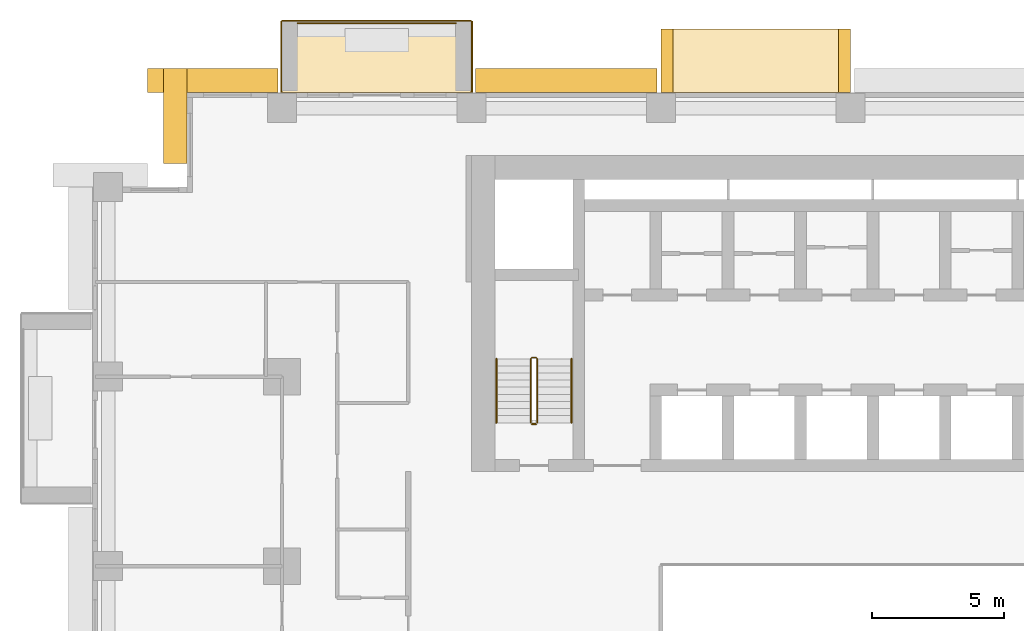
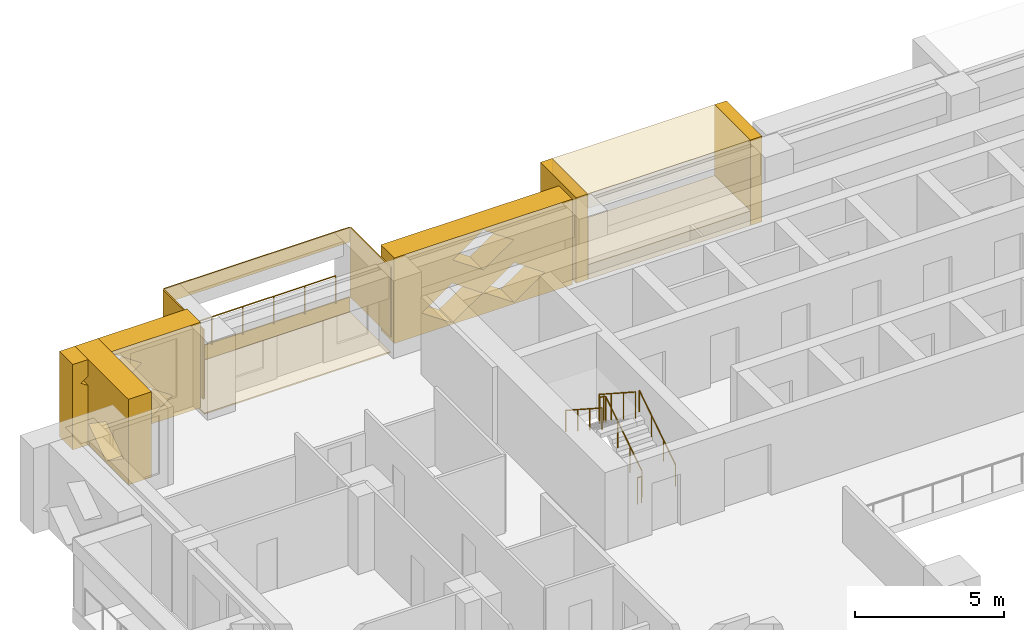
# One storey, part 15 of 17: 12 coverings, 5 railings.
"""IFC4 building model written with IfcOpenShell, lengths in metres."""

from ifc_helpers import new_model, si_unit, direction, frame, origin, origin_2d, place, context, subcontext, project, spatial, polyline, circle, outline, extrude, material, layer, layer_set, type_object, element, save


model = new_model("IFC4")

# Units and contexts
model_context = context("Model", 3, precision=1e-05, world=origin(), true_north=direction((0.0, 1.0)))
body_context = subcontext(model_context, "Body", "Model", "MODEL_VIEW")
ifc_project = project(units=[si_unit("LENGTHUNIT", "METRE"), si_unit("AREAUNIT", "SQUARE_METRE"), si_unit("VOLUMEUNIT", "CUBIC_METRE"), si_unit("PLANEANGLEUNIT", "RADIAN"), si_unit("MASSUNIT", "GRAM", prefix="KILO")], contexts=[model_context])

# Site, building, storey
site_placement = place(None, origin())
site = spatial("IfcSite", under=ifc_project, at=site_placement, CompositionType="ELEMENT")
building_placement = place(site_placement, origin())
building = spatial("IfcBuilding", under=site, at=building_placement, Name="Saffron Iwan Residences", CompositionType="ELEMENT")
storey_placement = place(building_placement, frame((0.0, 0.0, 55.0)))
storey = spatial("IfcBuildingStorey", under=building, at=storey_placement, Name="L13", CompositionType="ELEMENT", Elevation=55.0)

# Railing
ifc_material_1 = material(Name="Stainless steel 316", Category="steel")
railing_type_1 = type_object("IfcRailingType", Name="BALCONY GUARD 1150", PredefinedType="GUARDRAIL", material=ifc_material_1)
railing_1_placement = place(storey_placement, frame((28.199951171875, 83.02490234375, 0.0)))
element("IfcRailing", 1, at=railing_1_placement, inside=storey, type_object=railing_type_1, Name="Balcony guard L13 F5-3", PredefinedType="GUARDRAIL", context=body_context, shape_type="SweptSolid", body=[
    extrude(circle(Radius=0.02392578125, at=origin_2d()), frame((0.0, 0.0, 1.1259765625), z_axis=(-1.0, 0.0, 0.0), x_axis=(0.0, -1.0, 0.0)), (0.0, 0.0, 1.0), 6.0),
    extrude(circle(Radius=0.02099609375, at=origin_2d()), origin(), (0.0, 0.0, 1.0), 1.101806640625),
    extrude(circle(Radius=0.02099609375, at=origin_2d()), frame((-1.199951171875, 0.0, 0.0)), (0.0, 0.0, 1.0), 1.101806640625),
    extrude(circle(Radius=0.02099609375, at=origin_2d()), frame((-2.39990234375, 0.0, 0.0)), (0.0, 0.0, 1.0), 1.101806640625),
    extrude(circle(Radius=0.02099609375, at=origin_2d()), frame((-3.60009765625, 0.0, 0.0)), (0.0, 0.0, 1.0), 1.101806640625),
    extrude(circle(Radius=0.02099609375, at=origin_2d()), frame((-4.800048828125, 0.0, 0.0)), (0.0, 0.0, 1.0), 1.101806640625),
    extrude(circle(Radius=0.02099609375, at=origin_2d()), frame((-6.0, 0.0, 0.0)), (0.0, 0.0, 1.0), 1.101806640625),
])

# Coverings
ifc_material_2 = material(Name="Precast concrete C40/50 white painted", Category="concrete")
ifc_layer = layer(ifc_material_2, 0.050048828125)
ifc_layer_set = layer_set([ifc_layer], Name="Precast concrete C40/50 white painted")
covering_type_1 = type_object("IfcCoveringType", Name="FRAME SKIN PRECAST WHITE 50", PredefinedType="CLADDING", material=ifc_layer_set)
for number, where, name in (
    (2, (0.0, 0.0, -0.60009765625), "Frame skin slab edge L13 F5-3"),
    (3, (0.0, 0.0, 2.25), "Frame skin fascia L13 F5-3"),
):
    element("IfcCovering", number, at=place(storey_placement, frame(where)), inside=storey, type_object=covering_type_1, Name=name, PredefinedType="CLADDING", context=body_context, shape_type="SweptSolid", body=[
        extrude(outline(polyline([(28.800048828125, 83.14990234375), (21.60009765625, 83.14990234375), (21.60009765625, 83.10009765625), (28.800048828125, 83.10009765625), (28.800048828125, 83.14990234375)])), origin(), (0.0, 0.0, 1.0), 0.60009765625),
    ])
covering_1_placement = place(storey_placement, frame((0.0, 0.0, -0.64990234375)))
element("IfcCovering", 4, at=covering_1_placement, inside=storey, type_object=covering_type_1, Name="Frame skin soffit L13 F5-3", PredefinedType="CLADDING", context=body_context, shape_type="SweptSolid", body=[
    extrude(outline(polyline([(28.800048828125, 83.10009765625), (21.60009765625, 83.10009765625), (21.60009765625, 80.39990234375), (28.800048828125, 80.39990234375), (28.800048828125, 83.10009765625)])), origin(), (0.0, 0.0, 1.0), 0.0498046875),
])
covering_2_placement = place(storey_placement, origin())
element("IfcCovering", 5, at=covering_2_placement, inside=storey, type_object=covering_type_1, Name="Frame skin fin L13 F5-3a", PredefinedType="CLADDING", context=body_context, shape_type="SweptSolid", body=[
    extrude(outline(polyline([(28.85009765625, 83.10009765625), (28.800048828125, 83.10009765625), (28.800048828125, 80.39990234375), (28.85009765625, 80.39990234375), (28.85009765625, 83.10009765625)])), origin(), (0.0, 0.0, 1.0), 2.85009765625),
])
covering_3_placement = place(storey_placement, origin())
element("IfcCovering", 6, at=covering_3_placement, inside=storey, type_object=covering_type_1, Name="Frame skin fin L13 F5-3b", PredefinedType="CLADDING", context=body_context, shape_type="SweptSolid", body=[
    extrude(outline(polyline([(21.60009765625, 83.10009765625), (21.550048828125, 83.10009765625), (21.550048828125, 80.39990234375), (21.60009765625, 80.39990234375), (21.60009765625, 83.10009765625)])), origin(), (0.0, 0.0, 1.0), 2.85009765625),
])
ifc_material_3 = material(Name="Precast concrete C40/50", Category="concrete")
covering_type_2 = type_object("IfcCoveringType", Name="OUTER SKIN LATTICE SCREEN", PredefinedType="CLADDING", material=ifc_material_3)
covering_4_placement = place(storey_placement, frame((35.85009765625, 80.39990234375, -0.320068359375), z_axis=(0.0, 1.0, 0.0), x_axis=(-1.0, 0.0, 0.0)))
element("IfcCovering", 7, at=covering_4_placement, inside=storey, type_object=covering_type_2, Name="OUTER SKIN lattice screen L13 F5.3", PredefinedType="CLADDING", context=body_context, shape_type="SweptSolid", body=[
    extrude(outline(polyline([(0.0, 0.0), (6.89990234375, 0.0), (6.89990234375, 3.5), (0.0, 3.5), (0.0, 0.0)]), holes=[polyline([(1.070068359375, 0.875), (2.25, 0.06005859375), (3.429931640625, 0.875), (2.25, 1.68994140625), (1.070068359375, 0.875)]), polyline([(3.469970703125, 0.875), (4.64990234375, 0.06005859375), (5.830078125, 0.875), (4.64990234375, 1.68994140625), (3.469970703125, 0.875)]), polyline([(2.27001953125, 2.625), (3.449951171875, 1.81005859375), (4.6298828125, 2.625), (3.449951171875, 3.43994140625), (2.27001953125, 2.625)])]), origin(), (0.0, 0.0, 1.0), 0.900146484375),
])
covering_5_placement = place(storey_placement, frame((21.449951171875, 80.39990234375, -0.320068359375), z_axis=(0.0, 1.0, 0.0), x_axis=(-1.0, 0.0, 0.0)))
element("IfcCovering", 8, at=covering_5_placement, inside=storey, type_object=covering_type_2, Name="OUTER SKIN lattice screen L13 F5.4", PredefinedType="CLADDING", context=body_context, shape_type="SweptSolid", body=[
    extrude(outline(polyline([(0.0, 0.0), (4.949951171875, 0.0), (4.949951171875, 3.5), (0.0, 3.5), (0.0, 0.0)]), holes=[polyline([(1.070068359375, 0.875), (2.25, 0.06005859375), (3.429931640625, 0.875), (2.25, 1.68994140625), (1.070068359375, 0.875)]), polyline([(2.27001953125, 2.625), (3.449951171875, 1.81005859375), (4.6298828125, 2.625), (3.449951171875, 3.43994140625), (2.27001953125, 2.625)])]), origin(), (0.0, 0.0, 1.0), 0.900146484375),
])
covering_6_placement = place(storey_placement, frame((18.0, 81.300048828125, -0.320068359375), z_axis=(-1.0, 0.0, 0.0), x_axis=(0.0, -1.0, 0.0)))
element("IfcCovering", 9, at=covering_6_placement, inside=storey, type_object=covering_type_2, Name="OUTER SKIN lattice screen L13 F6.0", PredefinedType="CLADDING", context=body_context, shape_type="SweptSolid", body=[
    extrude(outline(polyline([(0.0, 0.0), (3.60009765625, 0.0), (3.60009765625, 3.5), (0.0, 3.5), (0.0, 0.0)]), holes=[polyline([(0.919921875, 0.875), (2.10009765625, 0.06005859375), (3.280029296875, 0.875), (2.10009765625, 1.68994140625), (0.919921875, 0.875)])]), origin(), (0.0, 0.0, 1.0), 0.89990234375),
])

# Railings
ifc_material_4 = material(Name="Steel S355", Category="steel")
railing_type_2 = type_object("IfcRailingType", Name="Stair guard 1100", PredefinedType="GUARDRAIL", material=ifc_material_4)
railing_2_placement = place(storey_placement, frame((31.300048828125, 67.85009765625, 0.175048828125)))
element("IfcRailing", 10, at=railing_2_placement, inside=storey, type_object=railing_type_2, Name="L13 ST-W stair guard 1", PredefinedType="GUARDRAIL", context=body_context, shape_type="SweptSolid", body=[
    extrude(circle(Radius=0.02392578125, at=origin_2d()), frame((0.0, 0.0, 1.076171875), z_axis=(0.0, 0.839153699163, 0.543894354798), x_axis=(-1.0, 0.0, 0.0)), (0.0, 0.0, 1.0), 2.895751953125),
    extrude(circle(Radius=0.02392578125, at=origin_2d()), frame((0.0, 2.429931640625, 2.65087890625), z_axis=(-0.707106781187, 0.707106781187, 0.0), x_axis=(-0.707106781187, -0.707106781187, 0.0)), (0.0, 0.0, 1.0), 0.07080078125),
    extrude(circle(Radius=0.02392578125, at=origin_2d()), frame((-0.050048828125, 2.47998046875, 2.65087890625), z_axis=(-1.0, 0.0, 0.0), x_axis=(0.0, -1.0, 0.0)), (0.0, 0.0, 1.0), 0.14990234375),
    extrude(circle(Radius=0.02392578125, at=origin_2d()), frame((-0.199951171875, 2.47998046875, 2.65087890625), z_axis=(-0.265065253269, -0.265065253269, 0.927081885822), x_axis=(0.707106781187, -0.707106781187, 0.0)), (0.0, 0.0, 1.0), 0.188720703125),
    extrude(circle(Radius=0.02392578125, at=origin_2d()), frame((-0.25, 2.429931640625, 2.826171875), z_axis=(0.0, -0.839153699163, 0.543894354798), x_axis=(1.0, 0.0, 0.0)), (0.0, 0.0, 1.0), 2.895751953125),
    extrude(circle(Radius=0.02099609375, at=origin_2d()), origin(), (0.0, 0.0, 1.0), 1.052001953125),
    extrude(circle(Radius=0.02099609375, at=origin_2d()), frame((0.0, 0.81005859375, 0.52490234375)), (0.0, 0.0, 1.0), 1.052001953125),
    extrude(circle(Radius=0.02099609375, at=origin_2d()), frame((0.0, 1.619873046875, 1.050048828125)), (0.0, 0.0, 1.0), 1.052001953125),
    extrude(circle(Radius=0.02099609375, at=origin_2d()), frame((0.0, 2.429931640625, 1.574951171875)), (0.0, 0.0, 1.0), 1.052001953125),
    extrude(circle(Radius=0.02099609375, at=origin_2d()), frame((-0.050048828125, 2.47998046875, 1.574951171875)), (0.0, 0.0, 1.0), 1.052001953125),
    extrude(circle(Radius=0.02099609375, at=origin_2d()), frame((-0.199951171875, 2.47998046875, 1.574951171875)), (0.0, 0.0, 1.0), 1.052001953125),
    extrude(circle(Radius=0.02099609375, at=origin_2d()), frame((-0.25, 2.429931640625, 1.75)), (0.0, 0.0, 1.0), 1.052001953125),
    extrude(circle(Radius=0.02099609375, at=origin_2d()), frame((-0.25, 1.619873046875, 2.27490234375)), (0.0, 0.0, 1.0), 1.052001953125),
    extrude(circle(Radius=0.02099609375, at=origin_2d()), frame((-0.25, 0.81005859375, 2.800048828125)), (0.0, 0.0, 1.0), 1.052001953125),
    extrude(circle(Radius=0.02099609375, at=origin_2d()), frame((-0.25, 0.0, 3.324951171875)), (0.0, 0.0, 1.0), 1.052001953125),
])
railing_3_placement = place(storey_placement, frame((31.25, 67.800048828125, 0.0)))
element("IfcRailing", 11, at=railing_3_placement, inside=storey, type_object=railing_type_2, Name="L13 ST-W stair guard 2", PredefinedType="GUARDRAIL", context=body_context, shape_type="SweptSolid", body=[
    extrude(circle(Radius=0.02392578125, at=origin_2d()), frame((0.0, 0.0, 1.076171875), z_axis=(-1.0, 0.0, 0.0), x_axis=(0.0, -1.0, 0.0)), (0.0, 0.0, 1.0), 0.14990234375),
    extrude(circle(Radius=0.02099609375, at=origin_2d()), origin(), (0.0, 0.0, 1.0), 1.052001953125),
    extrude(circle(Radius=0.02099609375, at=origin_2d()), frame((-0.14990234375, 0.0, 0.0)), (0.0, 0.0, 1.0), 1.052001953125),
])
railing_type_3 = type_object("IfcRailingType", Name="Stair handrail 900", PredefinedType="HANDRAIL", material=ifc_material_1)
railing_4_placement = place(storey_placement, frame((32.60009765625, 67.85009765625, 0.175048828125)))
element("IfcRailing", 12, at=railing_4_placement, inside=storey, type_object=railing_type_3, Name="L13 ST-W stair handrail 1", PredefinedType="HANDRAIL", context=body_context, shape_type="SweptSolid", body=[
    extrude(circle(Radius=0.02392578125, at=origin_2d()), frame((0.0, 0.0, 0.8759765625), z_axis=(0.0, 0.839153699163, 0.543894354798), x_axis=(-1.0, 0.0, 0.0)), (0.0, 0.0, 1.0), 2.895751953125),
    extrude(circle(Radius=0.02099609375, at=origin_2d()), origin(), (0.0, 0.0, 1.0), 0.851806640625),
    extrude(circle(Radius=0.02099609375, at=origin_2d()), frame((0.0, 0.81005859375, 0.52490234375)), (0.0, 0.0, 1.0), 0.851806640625),
    extrude(circle(Radius=0.02099609375, at=origin_2d()), frame((0.0, 1.619873046875, 1.050048828125)), (0.0, 0.0, 1.0), 0.851806640625),
    extrude(circle(Radius=0.02099609375, at=origin_2d()), frame((0.0, 2.429931640625, 1.574951171875)), (0.0, 0.0, 1.0), 0.851806640625),
])
railing_5_placement = place(storey_placement, frame((29.75, 70.280029296875, 1.925048828125)))
element("IfcRailing", 13, at=railing_5_placement, inside=storey, type_object=railing_type_3, Name="L13 ST-W stair handrail 2", PredefinedType="HANDRAIL", context=body_context, shape_type="SweptSolid", body=[
    extrude(circle(Radius=0.02392578125, at=origin_2d()), frame((0.0, 0.0, 0.8759765625), z_axis=(0.0, -0.839153699163, 0.543894354798), x_axis=(1.0, 0.0, 0.0)), (0.0, 0.0, 1.0), 2.895751953125),
    extrude(circle(Radius=0.02099609375, at=origin_2d()), origin(), (0.0, 0.0, 1.0), 0.851806640625),
    extrude(circle(Radius=0.02099609375, at=origin_2d()), frame((0.0, -0.81005859375, 0.52490234375)), (0.0, 0.0, 1.0), 0.851806640625),
    extrude(circle(Radius=0.02099609375, at=origin_2d()), frame((0.0, -1.619873046875, 1.050048828125)), (0.0, 0.0, 1.0), 0.851806640625),
    extrude(circle(Radius=0.02099609375, at=origin_2d()), frame((0.0, -2.429931640625, 1.574951171875)), (0.0, 0.0, 1.0), 0.851806640625),
])

# Coverings
covering_type_3 = type_object("IfcCoveringType", Name="WHITE SUN FRAME PRECAST", PredefinedType="CLADDING", material=ifc_material_2)
for number, where, z_axis, x_axis, name in (
    (14, (43.199951171875, 80.39990234375, -0.320068359375), (0.0, 1.0, 0.0), (-1.0, 0.0, 0.0), "Sun frame L13 F5 39.6a"),
    (15, (36.449951171875, 80.39990234375, -0.320068359375), (0.0, 1.0, 0.0), (-1.0, 0.0, 0.0), "Sun frame L13 F5 39.6b"),
):
    element("IfcCovering", number, at=place(storey_placement, frame(where, z_axis=z_axis, x_axis=x_axis)), inside=storey, type_object=covering_type_3, Name=name, PredefinedType="CLADDING", context=body_context, shape_type="SweptSolid", body=[
        extrude(outline(polyline([(0.0, 0.0), (0.449951171875, 0.0), (0.449951171875, 3.5), (0.0, 3.5), (0.0, 0.0)])), origin(), (0.0, 0.0, 1.0), 2.400146484375),
    ])
for number, where, z_axis, x_axis, name in (
    (16, (42.75, 80.39990234375, 2.580078125), (0.0, 1.0, 0.0), (-1.0, 0.0, 0.0), "Sun frame L13 F5 39.6h"),
    (17, (42.75, 80.39990234375, -0.320068359375), (0.0, 1.0, 0.0), (-1.0, 0.0, 0.0), "Sun frame L13 F5 39.6s"),
):
    element("IfcCovering", number, at=place(storey_placement, frame(where, z_axis=z_axis, x_axis=x_axis)), inside=storey, type_object=covering_type_3, Name=name, PredefinedType="CLADDING", context=body_context, shape_type="SweptSolid", body=[
        extrude(outline(polyline([(0.0, 0.0), (6.300048828125, 0.0), (6.300048828125, 0.60009765625), (0.0, 0.60009765625), (0.0, 0.0)])), origin(), (0.0, 0.0, 1.0), 2.400146484375),
    ])

save(model, "model.ifc")
